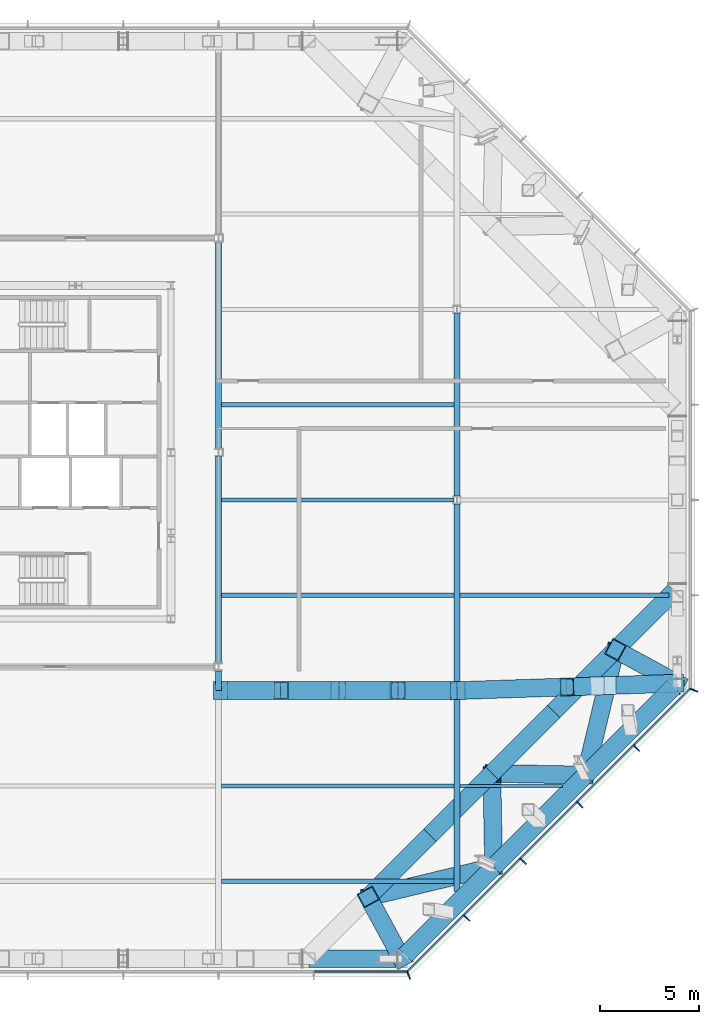
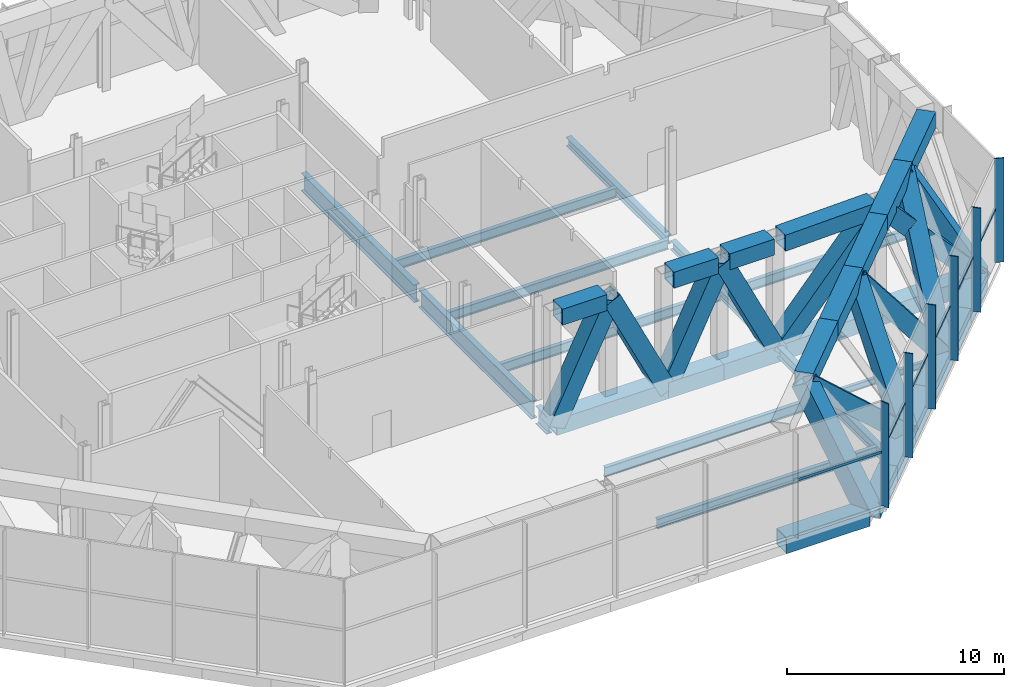
# One storey, part 5 of 18: 47 beams, 12 members, 3 elements without a shape of their own.
"""IFC4 building model written with IfcOpenShell, lengths in metres."""

from ifc_helpers import new_model, si_unit, direction, frame, origin, origin_2d, place, context, subcontext, project, spatial, rectangle, hollow_rectangle, i_section, extrude, material, material_profile, profile_set, type_object, element, aggregate, save


model = new_model("IFC4")

# Units and contexts
model_context = context("Model", 3, precision=1e-05, world=origin(), true_north=direction((0.0, 1.0)))
body_context = subcontext(model_context, "Body", "Model", "MODEL_VIEW")
ifc_project = project(units=[si_unit("LENGTHUNIT", "METRE"), si_unit("AREAUNIT", "SQUARE_METRE"), si_unit("VOLUMEUNIT", "CUBIC_METRE"), si_unit("PLANEANGLEUNIT", "RADIAN"), si_unit("MASSUNIT", "GRAM", prefix="KILO")], contexts=[model_context])

# Site, building, storey
site_placement = place(None, origin())
site = spatial("IfcSite", under=ifc_project, at=site_placement, CompositionType="ELEMENT")
building_placement = place(site_placement, origin())
building = spatial("IfcBuilding", under=site, at=building_placement, Name="Cairn Pilgrim Tower", CompositionType="ELEMENT")
storey_placement = place(building_placement, frame((0.0, 0.0, 204.60009765625)))
storey = spatial("IfcBuildingStorey", under=building, at=storey_placement, Name="L52", CompositionType="ELEMENT", Elevation=204.60009765625)

# Beams
ifc_material_1 = material(Name="Structural steel S460M", Category="steel")
ifc_material_profile_1 = material_profile(ifc_material_1, hollow_rectangle(XDim=0.89990234375, YDim=0.89990234375, WallThickness=0.050048828125, at=origin_2d()), Name="BOX 900x900x50")
ifc_profile_set_1 = profile_set([ifc_material_profile_1], Name="Structural steel S460M")
beam_type_1 = type_object("IfcBeamType", Name="BOX 900x900x50 CHORD", PredefinedType="USERDEFINED", material=ifc_profile_set_1)
beam_1_placement = place(storey_placement, frame((23.75146484375, -23.10009765625, -0.7001953125), z_axis=(1.0, 0.0, 0.0), x_axis=(0.0, 1.0, 0.0)))
element("IfcBeam", 1, at=beam_1_placement, inside=storey, type_object=beam_type_1, Name="BT52-S-BC6", ObjectType="CHORD", PredefinedType="USERDEFINED", context=body_context, shape_type="SweptSolid", body=[
    extrude(hollow_rectangle(XDim=0.89990234375, YDim=0.89990234375, WallThickness=0.050048828125, at=origin_2d()), origin(), (0.0, 0.0, 1.0), 4.439453125),
])
beam_2_placement = place(storey_placement, frame((28.594482421875, -22.932861328125, -0.7001953125), z_axis=(0.707066537211, 0.707147022872, 0.0), x_axis=(-0.707147022872, 0.707066537211, 0.0)))
element("IfcBeam", 2, at=beam_2_placement, inside=storey, type_object=beam_type_1, Name="BT52-SE-BC1", ObjectType="CHORD", PredefinedType="USERDEFINED", context=body_context, shape_type="SweptSolid", body=[
    extrude(hollow_rectangle(XDim=0.89990234375, YDim=0.89990234375, WallThickness=0.050048828125, at=origin_2d()), origin(), (0.0, 0.0, 1.0), 3.033447265625),
])
beam_3_placement = place(storey_placement, frame((30.7392578125, -20.787841796875, -0.7001953125), z_axis=(0.707106781187, 0.707106781187, 0.0), x_axis=(-0.707106781187, 0.707106781187, 0.0)))
element("IfcBeam", 3, at=beam_3_placement, inside=storey, type_object=beam_type_1, Name="BT52-SE-BC2", ObjectType="CHORD", PredefinedType="USERDEFINED", context=body_context, shape_type="SweptSolid", body=[
    extrude(hollow_rectangle(XDim=0.89990234375, YDim=0.89990234375, WallThickness=0.050048828125, at=origin_2d()), origin(), (0.0, 0.0, 1.0), 3.27001953125),
])
beam_4_placement = place(storey_placement, frame((26.7392578125, -19.98779296875, 5.39990234375), z_axis=(0.707134515759, 0.707079045527, 0.0), x_axis=(-0.707079045527, 0.707134515759, 0.0)))
element("IfcBeam", 4, at=beam_4_placement, inside=storey, type_object=beam_type_1, Name="BT52-SE-TC2", ObjectType="CHORD", PredefinedType="USERDEFINED", context=body_context, shape_type="SweptSolid", body=[
    extrude(hollow_rectangle(XDim=0.89990234375, YDim=0.89990234375, WallThickness=0.050048828125, at=origin_2d()), origin(), (0.0, 0.0, 1.0), 4.4013671875),
])
beam_5_placement = place(storey_placement, frame((33.051513671875, -18.4755859375, -0.7001953125), z_axis=(0.707106781187, 0.707106781187, 0.0), x_axis=(-0.707106781187, 0.707106781187, 0.0)))
element("IfcBeam", 5, at=beam_5_placement, inside=storey, type_object=beam_type_1, Name="BT52-SE-BC3", ObjectType="CHORD", PredefinedType="USERDEFINED", context=body_context, shape_type="SweptSolid", body=[
    extrude(hollow_rectangle(XDim=0.89990234375, YDim=0.89990234375, WallThickness=0.050048828125, at=origin_2d()), origin(), (0.0, 0.0, 1.0), 3.269775390625),
])
beam_6_placement = place(storey_placement, frame((29.8515625, -16.875732421875, 5.39990234375), z_axis=(0.707106781187, 0.707106781187, 0.0), x_axis=(-0.707106781187, 0.707106781187, 0.0)))
element("IfcBeam", 6, at=beam_6_placement, inside=storey, type_object=beam_type_1, Name="BT52-SE-TC3", ObjectType="CHORD", PredefinedType="USERDEFINED", context=body_context, shape_type="SweptSolid", body=[
    extrude(hollow_rectangle(XDim=0.89990234375, YDim=0.89990234375, WallThickness=0.050048828125, at=origin_2d()), origin(), (0.0, 0.0, 1.0), 4.401123046875),
])
beam_7_placement = place(storey_placement, frame((35.363525390625, -16.16357421875, -0.7001953125), z_axis=(0.707144112273, 0.707069448129, 0.0), x_axis=(-0.707069448129, 0.707144112273, 0.0)))
element("IfcBeam", 7, at=beam_7_placement, inside=storey, type_object=beam_type_1, Name="BT52-SE-BC4", ObjectType="CHORD", PredefinedType="USERDEFINED", context=body_context, shape_type="SweptSolid", body=[
    extrude(hollow_rectangle(XDim=0.89990234375, YDim=0.89990234375, WallThickness=0.050048828125, at=origin_2d()), origin(), (0.0, 0.0, 1.0), 3.269775390625),
])
beam_8_placement = place(storey_placement, frame((32.963623046875, -13.763671875, 5.39990234375), z_axis=(0.707106781187, 0.707106781187, 0.0), x_axis=(-0.707106781187, 0.707106781187, 0.0)))
element("IfcBeam", 8, at=beam_8_placement, inside=storey, type_object=beam_type_1, Name="BT52-SE-TC4", ObjectType="CHORD", PredefinedType="USERDEFINED", context=body_context, shape_type="SweptSolid", body=[
    extrude(hollow_rectangle(XDim=0.89990234375, YDim=0.89990234375, WallThickness=0.050048828125, at=origin_2d()), origin(), (0.0, 0.0, 1.0), 4.401123046875),
])
beam_9_placement = place(storey_placement, frame((37.67578125, -13.8515625, -0.7001953125), z_axis=(0.707069448129, 0.707144112273, 0.0), x_axis=(-0.707144112273, 0.707069448129, 0.0)))
element("IfcBeam", 9, at=beam_9_placement, inside=storey, type_object=beam_type_1, Name="BT52-SE-BC5", ObjectType="CHORD", PredefinedType="USERDEFINED", context=body_context, shape_type="SweptSolid", body=[
    extrude(hollow_rectangle(XDim=0.89990234375, YDim=0.89990234375, WallThickness=0.050048828125, at=origin_2d()), origin(), (0.0, 0.0, 1.0), 3.269775390625),
])
beam_10_placement = place(storey_placement, frame((36.07568359375, -10.651611328125, 5.39990234375), z_axis=(0.707106781187, 0.707106781187, 0.0), x_axis=(-0.707106781187, 0.707106781187, 0.0)))
element("IfcBeam", 10, at=beam_10_placement, inside=storey, type_object=beam_type_1, Name="BT52-SE-TC5", ObjectType="CHORD", PredefinedType="USERDEFINED", context=body_context, shape_type="SweptSolid", body=[
    extrude(hollow_rectangle(XDim=0.89990234375, YDim=0.89990234375, WallThickness=0.050048828125, at=origin_2d()), origin(), (0.0, 0.0, 1.0), 4.4013671875),
])
beam_11_placement = place(storey_placement, frame((39.98779296875, -11.539306640625, -0.7001953125), z_axis=(0.707106781187, 0.707106781187, 0.0), x_axis=(-0.707106781187, 0.707106781187, 0.0)))
element("IfcBeam", 11, at=beam_11_placement, inside=storey, type_object=beam_type_1, Name="BT52-SE-BC6", ObjectType="CHORD", PredefinedType="USERDEFINED", context=body_context, shape_type="SweptSolid", body=[
    extrude(hollow_rectangle(XDim=0.89990234375, YDim=0.89990234375, WallThickness=0.050048828125, at=origin_2d()), origin(), (0.0, 0.0, 1.0), 3.033447265625),
])
beam_12_placement = place(storey_placement, frame((39.18798828125, -7.539306640625, 5.39990234375), z_axis=(0.707106781187, 0.707106781187, 0.0), x_axis=(-0.707106781187, 0.707106781187, 0.0)))
element("IfcBeam", 12, at=beam_12_placement, inside=storey, type_object=beam_type_1, Name="BT52-SE-TC6", ObjectType="CHORD", PredefinedType="USERDEFINED", context=body_context, shape_type="SweptSolid", body=[
    extrude(hollow_rectangle(XDim=0.89990234375, YDim=0.89990234375, WallThickness=0.050048828125, at=origin_2d()), origin(), (0.0, 0.0, 1.0), 4.16455078125),
])
beam_13_placement = place(storey_placement, frame((19.35009765625, -9.60009765625, -0.7001953125), z_axis=(1.0, 0.0, 0.0), x_axis=(0.0, 1.0, 0.0)))
element("IfcBeam", 13, at=beam_13_placement, inside=storey, type_object=beam_type_1, Name="TT52S96-BC1", ObjectType="CHORD", PredefinedType="USERDEFINED", context=body_context, shape_type="SweptSolid", body=[
    extrude(hollow_rectangle(XDim=0.89990234375, YDim=0.89990234375, WallThickness=0.050048828125, at=origin_2d()), origin(), (0.0, 0.0, 1.0), 5.9248046875),
])
beam_14_placement = place(storey_placement, frame((19.64990234375, -9.60009765625, 5.39990234375), z_axis=(1.0, 0.0, 0.0), x_axis=(0.0, 1.0, 0.0)))
element("IfcBeam", 14, at=beam_14_placement, inside=storey, type_object=beam_type_1, Name="TT52S96-TC1", ObjectType="CHORD", PredefinedType="USERDEFINED", context=body_context, shape_type="SweptSolid", body=[
    extrude(hollow_rectangle(XDim=0.89990234375, YDim=0.89990234375, WallThickness=0.050048828125, at=origin_2d()), origin(), (0.0, 0.0, 1.0), 2.362548828125),
])
beam_15_placement = place(storey_placement, frame((25.27490234375, -9.60009765625, -0.7001953125), z_axis=(1.0, 0.0, 0.0), x_axis=(0.0, 1.0, 0.0)))
element("IfcBeam", 15, at=beam_15_placement, inside=storey, type_object=beam_type_1, Name="TT52S96-BC3", ObjectType="CHORD", PredefinedType="USERDEFINED", context=body_context, shape_type="SweptSolid", body=[
    extrude(hollow_rectangle(XDim=0.89990234375, YDim=0.89990234375, WallThickness=0.050048828125, at=origin_2d()), origin(), (0.0, 0.0, 1.0), 2.962646484375),
])
beam_16_placement = place(storey_placement, frame((25.574951171875, -9.60009765625, 5.39990234375), z_axis=(1.0, 0.0, 0.0), x_axis=(0.0, 1.0, 0.0)))
element("IfcBeam", 16, at=beam_16_placement, inside=storey, type_object=beam_type_1, Name="TT52S96-TC3", ObjectType="CHORD", PredefinedType="USERDEFINED", context=body_context, shape_type="SweptSolid", body=[
    extrude(hollow_rectangle(XDim=0.89990234375, YDim=0.89990234375, WallThickness=0.050048828125, at=origin_2d()), origin(), (0.0, 0.0, 1.0), 2.362548828125),
])
beam_17_placement = place(storey_placement, frame((28.237548828125, -9.60009765625, -0.7001953125), z_axis=(1.0, 0.0, 0.0), x_axis=(0.0, 1.0, 0.0)))
element("IfcBeam", 17, at=beam_17_placement, inside=storey, type_object=beam_type_1, Name="TT52S96-BC4", ObjectType="CHORD", PredefinedType="USERDEFINED", context=body_context, shape_type="SweptSolid", body=[
    extrude(hollow_rectangle(XDim=0.89990234375, YDim=0.89990234375, WallThickness=0.050048828125, at=origin_2d()), origin(), (0.0, 0.0, 1.0), 2.96240234375),
])
beam_18_placement = place(storey_placement, frame((28.53759765625, -9.60009765625, 5.39990234375), z_axis=(1.0, 0.0, 0.0), x_axis=(0.0, 1.0, 0.0)))
element("IfcBeam", 18, at=beam_18_placement, inside=storey, type_object=beam_type_1, Name="TT52S96-TC4", ObjectType="CHORD", PredefinedType="USERDEFINED", context=body_context, shape_type="SweptSolid", body=[
    extrude(hollow_rectangle(XDim=0.89990234375, YDim=0.89990234375, WallThickness=0.050048828125, at=origin_2d()), origin(), (0.0, 0.0, 1.0), 2.3623046875),
])
beam_19_placement = place(storey_placement, frame((31.199951171875, -9.60009765625, -0.7001953125), z_axis=(0.999438692734, 0.033500738304, 0.0), x_axis=(-0.033500738304, 0.999438692734, 0.0)))
element("IfcBeam", 19, at=beam_19_placement, inside=storey, type_object=beam_type_1, Name="TT52S96-BC5", ObjectType="CHORD", PredefinedType="USERDEFINED", context=body_context, shape_type="SweptSolid", body=[
    extrude(hollow_rectangle(XDim=0.89990234375, YDim=0.89990234375, WallThickness=0.050048828125, at=origin_2d()), origin(), (0.0, 0.0, 1.0), 5.55322265625),
])
beam_20_placement = place(storey_placement, frame((31.499755859375, -9.590087890625, 5.39990234375), z_axis=(0.999438157872, 0.033516691195, 0.0), x_axis=(-0.033516691195, 0.999438157872, 0.0)))
element("IfcBeam", 20, at=beam_20_placement, inside=storey, type_object=beam_type_1, Name="TT52S96-TC5", ObjectType="CHORD", PredefinedType="USERDEFINED", context=body_context, shape_type="SweptSolid", body=[
    extrude(hollow_rectangle(XDim=0.89990234375, YDim=0.89990234375, WallThickness=0.050048828125, at=origin_2d()), origin(), (0.0, 0.0, 1.0), 4.953125),
])
beam_21_placement = place(storey_placement, frame((36.75, -9.4140625, -0.7001953125), z_axis=(0.999434268048, 0.033632482077, 0.0), x_axis=(-0.033632482077, 0.999434268048, 0.0)))
element("IfcBeam", 21, at=beam_21_placement, inside=storey, type_object=beam_type_1, Name="TT52S96-BC6", ObjectType="CHORD", PredefinedType="USERDEFINED", context=body_context, shape_type="SweptSolid", body=[
    extrude(hollow_rectangle(XDim=0.89990234375, YDim=0.89990234375, WallThickness=0.050048828125, at=origin_2d()), origin(), (0.0, 0.0, 1.0), 5.55322265625),
])
ifc_material_profile_2 = material_profile(ifc_material_1, hollow_rectangle(XDim=0.89990234375, YDim=0.89990234375, WallThickness=0.050048828125, at=origin_2d()), Name="BOX 900x900x50")
ifc_profile_set_2 = profile_set([ifc_material_profile_2], Name="Structural steel S460M")
beam_type_2 = type_object("IfcBeamType", Name="BOX 900x900x50 DIAGONAL", PredefinedType="USERDEFINED", material=ifc_profile_set_2)
beam_22_placement = place(storey_placement, frame((28.42724609375, -23.10009765625, -0.7001953125), z_axis=(-0.239324002447, 0.441264446514, 0.864875546015), x_axis=(-0.879036753666, -0.476754009637, 0.0)))
element("IfcBeam", 22, at=beam_22_placement, inside=storey, type_object=beam_type_2, Name="BT52-SE-D1", ObjectType="DIAGONAL", PredefinedType="USERDEFINED", context=body_context, shape_type="SweptSolid", body=[
    extrude(hollow_rectangle(XDim=0.89990234375, YDim=0.89990234375, WallThickness=0.050048828125, at=origin_2d()), origin(), (0.0, 0.0, 1.0), 7.05322265625),
])
beam_23_placement = place(storey_placement, frame((26.7392578125, -19.98779296875, 5.39990234375), z_axis=(0.708649616723, 0.169768931579, -0.684831534459), x_axis=(-0.232974611188, 0.972482817608, 0.0)))
element("IfcBeam", 23, at=beam_23_placement, inside=storey, type_object=beam_type_2, Name="BT52-SE-D2", ObjectType="DIAGONAL", PredefinedType="USERDEFINED", context=body_context, shape_type="SweptSolid", body=[
    extrude(hollow_rectangle(XDim=0.89990234375, YDim=0.89990234375, WallThickness=0.050048828125, at=origin_2d()), origin(), (0.0, 0.0, 1.0), 8.907470703125),
])
beam_24_placement = place(storey_placement, frame((33.051513671875, -18.4755859375, -0.7001953125), z_axis=(-0.011401773013, 0.611261719859, 0.791346390279), x_axis=(-0.999826080981, -0.018649605656, 0.0)))
element("IfcBeam", 24, at=beam_24_placement, inside=storey, type_object=beam_type_2, Name="BT52-SE-D3", ObjectType="DIAGONAL", PredefinedType="USERDEFINED", context=body_context, shape_type="SweptSolid", body=[
    extrude(hollow_rectangle(XDim=0.89990234375, YDim=0.89990234375, WallThickness=0.050048828125, at=origin_2d()), origin(), (0.0, 0.0, 1.0), 7.70849609375),
])
beam_25_placement = place(storey_placement, frame((32.963623046875, -13.763671875, 5.39990234375), z_axis=(0.611281557072, -0.011401552279, -0.791331070152), x_axis=(0.018648639741, 0.999826098997, 0.0)))
element("IfcBeam", 25, at=beam_25_placement, inside=storey, type_object=beam_type_2, Name="BT52-SE-D4", ObjectType="DIAGONAL", PredefinedType="USERDEFINED", context=body_context, shape_type="SweptSolid", body=[
    extrude(hollow_rectangle(XDim=0.89990234375, YDim=0.89990234375, WallThickness=0.050048828125, at=origin_2d()), origin(), (0.0, 0.0, 1.0), 7.708740234375),
])
beam_26_placement = place(storey_placement, frame((37.67578125, -13.8515625, -0.7001953125), z_axis=(0.169768931579, 0.708649616723, 0.684831534459), x_axis=(-0.972482817608, 0.232974611188, 0.0)))
element("IfcBeam", 26, at=beam_26_placement, inside=storey, type_object=beam_type_2, Name="BT52-SE-D5", ObjectType="DIAGONAL", PredefinedType="USERDEFINED", context=body_context, shape_type="SweptSolid", body=[
    extrude(hollow_rectangle(XDim=0.89990234375, YDim=0.89990234375, WallThickness=0.050048828125, at=origin_2d()), origin(), (0.0, 0.0, 1.0), 8.907470703125),
])
beam_27_placement = place(storey_placement, frame((39.18798828125, -7.539306640625, 5.39990234375), z_axis=(0.44123657139, -0.239327657848, -0.864888756001), x_axis=(0.476782909036, 0.879021079185, 0.0)))
element("IfcBeam", 27, at=beam_27_placement, inside=storey, type_object=beam_type_2, Name="BT52-SE-D6", ObjectType="DIAGONAL", PredefinedType="USERDEFINED", context=body_context, shape_type="SweptSolid", body=[
    extrude(hollow_rectangle(XDim=0.89990234375, YDim=0.89990234375, WallThickness=0.050048828125, at=origin_2d()), origin(), (0.0, 0.0, 1.0), 7.052978515625),
])
for number, where, z_axis, x_axis, name in (
    (28, (19.35009765625, -9.60009765625, -0.7001953125), (0.436844038279, 0.0, 0.899537262274), (0.0, 1.0, 0.0), "TT52S96-D1"),
    (29, (22.3125, -9.60009765625, 5.39990234375), (0.436844038279, 0.0, -0.899537262274), (0.0, 1.0, 0.0), "TT52S96-D2"),
    (30, (25.27490234375, -9.60009765625, -0.7001953125), (0.43687316895, 0.0, 0.899523114907), (0.0, 1.0, 0.0), "TT52S96-D3"),
    (31, (28.237548828125, -9.60009765625, 5.39990234375), (0.436844038279, 0.0, -0.899537262274), (0.0, 1.0, 0.0), "TT52S96-D4"),
):
    element("IfcBeam", number, at=place(storey_placement, frame(where, z_axis=z_axis, x_axis=x_axis)), inside=storey, type_object=beam_type_2, Name=name, ObjectType="DIAGONAL", PredefinedType="USERDEFINED", context=body_context, shape_type="SweptSolid", body=[
        extrude(hollow_rectangle(XDim=0.89990234375, YDim=0.89990234375, WallThickness=0.050048828125, at=origin_2d()), origin(), (0.0, 0.0, 1.0), 6.781494140625),
    ])
beam_28_placement = place(storey_placement, frame((31.199951171875, -9.60009765625, -0.7001953125), z_axis=(0.672800697208, 0.022551978677, 0.739479972747), x_axis=(-0.033500738304, 0.999438692734, 0.0)))
element("IfcBeam", 32, at=beam_28_placement, inside=storey, type_object=beam_type_2, Name="TT52S96-D5", ObjectType="DIAGONAL", PredefinedType="USERDEFINED", context=body_context, shape_type="SweptSolid", body=[
    extrude(hollow_rectangle(XDim=0.89990234375, YDim=0.89990234375, WallThickness=0.050048828125, at=origin_2d()), origin(), (0.0, 0.0, 1.0), 8.249267578125),
])
beam_29_placement = place(storey_placement, frame((36.75, -9.4140625, 5.39990234375), z_axis=(0.672751153679, 0.022686669878, -0.739520926163), x_axis=(-0.033703073166, 0.999431890055, 0.0)))
element("IfcBeam", 33, at=beam_29_placement, inside=storey, type_object=beam_type_2, Name="TT52S96-D6A", ObjectType="DIAGONAL", PredefinedType="USERDEFINED", context=body_context, shape_type="SweptSolid", body=[
    extrude(hollow_rectangle(XDim=0.89990234375, YDim=0.89990234375, WallThickness=0.050048828125, at=origin_2d()), origin(), (0.0, 0.0, 1.0), 2.270751953125),
])
beam_30_placement = place(storey_placement, frame((38.886962890625, -9.342041015625, 3.05126953125), z_axis=(0.672788092261, 0.022618769911, -0.739489400979), x_axis=(-0.033600472962, 0.999435344691, 0.0)))
element("IfcBeam", 34, at=beam_30_placement, inside=storey, type_object=beam_type_2, Name="TT52S96-D6B", ObjectType="DIAGONAL", PredefinedType="USERDEFINED", context=body_context, shape_type="SweptSolid", body=[
    extrude(hollow_rectangle(XDim=0.89990234375, YDim=0.89990234375, WallThickness=0.050048828125, at=origin_2d()), origin(), (0.0, 0.0, 1.0), 5.072998046875),
])

# Curtain wall, members
ifc_material_2 = material(Name="Aluminium alloy 6063-T6 bronze anodised with Bronze tinted laminated low-E glass 8+16+8.8", Category="aluminium")
curtain_wall_type = type_object("IfcCurtainWallType", Name="PLANT LOUVRE CURTAIN WALL", PredefinedType="NOTDEFINED", material=ifc_material_2)
curtain_wall_1_placement = place(storey_placement, origin())
curtain_wall_1 = element("IfcCurtainWall", 35, at=curtain_wall_1_placement, inside=storey, type_object=curtain_wall_type, Name="Plant Louvre Curtain Wall SE", PredefinedType="NOTDEFINED")
ifc_material_3 = material(Name="Aluminium alloy 6063-T6 bronze anodised", Category="aluminium")
ifc_material_profile_3 = material_profile(ifc_material_3, rectangle(XDim=0.449951171875, YDim=0.06005859375, at=origin_2d()), Name="FIN MULLION 60x450 BRONZE")
ifc_profile_set_3 = profile_set([ifc_material_profile_3], Name="Aluminium alloy 6063-T6 bronze anodised")
member_type_1 = type_object("IfcMemberType", Name="FIN MULLION 60x450 BRONZE", PredefinedType="MULLION", material=ifc_profile_set_3)
member_1_placement = place(storey_placement, frame((28.77099609375, -23.93017578125, 0.0), z_axis=(0.0, 0.0, 1.0), x_axis=(0.382683432365, -0.923879532511, 0.0)))
member_1 = element("IfcMember", 36, at=member_1_placement, type_object=member_type_1, Name="Fin mullion SE1", PredefinedType="MULLION", context=body_context, shape_type="SweptSolid", body=[
    extrude(rectangle(XDim=0.449951171875, YDim=0.06005859375, at=origin_2d()), origin(), (0.0, 0.0, 1.0), 5.849853515625),
])
member_2_placement = place(storey_placement, frame((31.68505859375, -21.037109375, 0.0), z_axis=(0.0, 0.0, 1.0), x_axis=(0.707106781187, -0.707106781187, 0.0)))
member_2 = element("IfcMember", 37, at=member_2_placement, type_object=member_type_1, Name="Fin mullion SE2", PredefinedType="MULLION", context=body_context, shape_type="SweptSolid", body=[
    extrude(rectangle(XDim=0.449951171875, YDim=0.06005859375, at=origin_2d()), origin(), (0.0, 0.0, 1.0), 5.849853515625),
])
member_3_placement = place(storey_placement, frame((34.53564453125, -18.1865234375, 0.0), z_axis=(0.0, 0.0, 1.0), x_axis=(0.707106781187, -0.707106781187, 0.0)))
member_3 = element("IfcMember", 38, at=member_3_placement, type_object=member_type_1, Name="Fin mullion SE3", PredefinedType="MULLION", context=body_context, shape_type="SweptSolid", body=[
    extrude(rectangle(XDim=0.449951171875, YDim=0.06005859375, at=origin_2d()), origin(), (0.0, 0.0, 1.0), 5.849853515625),
])
member_4_placement = place(storey_placement, frame((37.386474609375, -15.335693359375, 0.0), z_axis=(0.0, 0.0, 1.0), x_axis=(0.707106781187, -0.707106781187, 0.0)))
member_4 = element("IfcMember", 39, at=member_4_placement, type_object=member_type_1, Name="Fin mullion SE4", PredefinedType="MULLION", context=body_context, shape_type="SweptSolid", body=[
    extrude(rectangle(XDim=0.449951171875, YDim=0.06005859375, at=origin_2d()), origin(), (0.0, 0.0, 1.0), 5.849853515625),
])
member_5_placement = place(storey_placement, frame((40.237060546875, -12.485107421875, 0.0), z_axis=(0.0, 0.0, 1.0), x_axis=(0.707106781187, -0.707106781187, 0.0)))
member_5 = element("IfcMember", 40, at=member_5_placement, type_object=member_type_1, Name="Fin mullion SE5", PredefinedType="MULLION", context=body_context, shape_type="SweptSolid", body=[
    extrude(rectangle(XDim=0.449951171875, YDim=0.06005859375, at=origin_2d()), origin(), (0.0, 0.0, 1.0), 5.849853515625),
])

# Curtain wall, member
curtain_wall_2_placement = place(storey_placement, origin())
curtain_wall_2 = element("IfcCurtainWall", 41, at=curtain_wall_2_placement, inside=storey, type_object=curtain_wall_type, Name="Plant Louvre Curtain Wall E", PredefinedType="NOTDEFINED")
member_6_placement = place(storey_placement, frame((43.130126953125, -9.571044921875, 0.0), z_axis=(0.0, 0.0, 1.0), x_axis=(0.923879532511, -0.382683432365, 0.0)))
member_6 = element("IfcMember", 42, at=member_6_placement, type_object=member_type_1, Name="Fin mullion E1", PredefinedType="MULLION", context=body_context, shape_type="SweptSolid", body=[
    extrude(rectangle(XDim=0.449951171875, YDim=0.06005859375, at=origin_2d()), origin(), (0.0, 0.0, 1.0), 5.849853515625),
])
aggregate(curtain_wall_2, [member_6])

# Beams
ifc_material_4 = material(Name="Structural steel S355J2", Category="steel")
ifc_material_profile_4 = material_profile(ifc_material_4, i_section(OverallWidth=0.300048828125, OverallDepth=0.5, WebThickness=0.014404296875, FlangeThickness=0.028076171875, FilletRadius=0.027099609375, at=origin_2d()), Name="HEB 500")
ifc_profile_set_4 = profile_set([ifc_material_profile_4], Name="Structural steel S355J2")
beam_type_3 = type_object("IfcBeamType", Name="HEB 500 GIRDER", PredefinedType="BEAM", material=ifc_profile_set_4)
beam_31_placement = place(storey_placement, frame((31.199951171875, -9.14501953125, -0.5), z_axis=(0.0, 1.0, 0.0), x_axis=(-1.0, 0.0, 0.0)))
element("IfcBeam", 43, at=beam_31_placement, inside=storey, type_object=beam_type_3, Name="PG5-2", PredefinedType="BEAM", context=body_context, shape_type="SweptSolid", body=[
    extrude(i_section(OverallWidth=0.300048828125, OverallDepth=0.5, WebThickness=0.014404296875, FlangeThickness=0.028076171875, FilletRadius=0.027099609375, at=origin_2d()), origin(), (0.0, 0.0, 1.0), 8.945556640625),
])
beam_32_placement = place(storey_placement, frame((31.199951171875, 0.199462890625, -0.5), z_axis=(0.0, 1.0, 0.0), x_axis=(-1.0, 0.0, 0.0)))
element("IfcBeam", 44, at=beam_32_placement, inside=storey, type_object=beam_type_3, Name="PG5-3", PredefinedType="BEAM", context=body_context, shape_type="SweptSolid", body=[
    extrude(i_section(OverallWidth=0.300048828125, OverallDepth=0.5, WebThickness=0.014404296875, FlangeThickness=0.028076171875, FilletRadius=0.027099609375, at=origin_2d()), origin(), (0.0, 0.0, 1.0), 9.200927734375),
])
ifc_material_profile_5 = material_profile(ifc_material_4, i_section(OverallWidth=0.300048828125, OverallDepth=0.60009765625, WebThickness=0.015380859375, FlangeThickness=0.030029296875, FilletRadius=0.027099609375, at=origin_2d()), Name="HEB 600")
ifc_profile_set_5 = profile_set([ifc_material_profile_5], Name="Structural steel S355J2")
beam_type_4 = type_object("IfcBeamType", Name="HEB 600 GIRDER", PredefinedType="BEAM", material=ifc_profile_set_5)
beam_33_placement = place(storey_placement, frame((31.199951171875, -19.720703125, -0.550048828125), z_axis=(0.0, 1.0, 0.0), x_axis=(-1.0, 0.0, 0.0)))
element("IfcBeam", 45, at=beam_33_placement, inside=storey, type_object=beam_type_4, Name="PG5-1", PredefinedType="BEAM", context=body_context, shape_type="SweptSolid", body=[
    extrude(i_section(OverallWidth=0.300048828125, OverallDepth=0.60009765625, WebThickness=0.015380859375, FlangeThickness=0.030029296875, FilletRadius=0.027099609375, at=origin_2d()), origin(), (0.0, 0.0, 1.0), 9.665771484375),
])
ifc_material_profile_6 = material_profile(ifc_material_4, i_section(OverallWidth=0.302001953125, OverallDepth=1.008056640625, WebThickness=0.02099609375, FlangeThickness=0.0400390625, FilletRadius=0.030029296875, at=origin_2d()), Name="HEM 1000")
ifc_profile_set_6 = profile_set([ifc_material_profile_6], Name="Structural steel S355J2")
beam_type_5 = type_object("IfcBeamType", Name="HEM 1000 GIRDER", PredefinedType="BEAM", material=ifc_profile_set_6)
beam_34_placement = place(storey_placement, frame((19.199951171875, -9.60009765625, -0.754150390625), z_axis=(0.0, 1.0, 0.0), x_axis=(-1.0, 0.0, 0.0)))
element("IfcBeam", 46, at=beam_34_placement, inside=storey, type_object=beam_type_5, Name="PG4-E1", PredefinedType="BEAM", context=body_context, shape_type="SweptSolid", body=[
    extrude(i_section(OverallWidth=0.302001953125, OverallDepth=1.008056640625, WebThickness=0.02099609375, FlangeThickness=0.0400390625, FilletRadius=0.030029296875, at=origin_2d()), origin(), (0.0, 0.0, 1.0), 1.00048828125),
])
for number, where, z_axis, x_axis, name in (
    (47, (19.199951171875, -8.200439453125, -0.754150390625), (0.0, 1.0, 0.0), (-1.0, 0.0, 0.0), "PG4-2"),
    (48, (19.199951171875, 2.599609375, -0.754150390625), (0.0, 1.0, 0.0), (-1.0, 0.0, 0.0), "PG4-3"),
):
    element("IfcBeam", number, at=place(storey_placement, frame(where, z_axis=z_axis, x_axis=x_axis)), inside=storey, type_object=beam_type_5, Name=name, PredefinedType="BEAM", context=body_context, shape_type="SweptSolid", body=[
        extrude(i_section(OverallWidth=0.302001953125, OverallDepth=1.008056640625, WebThickness=0.02099609375, FlangeThickness=0.0400390625, FilletRadius=0.030029296875, at=origin_2d()), origin(), (0.0, 0.0, 1.0), 10.40087890625),
    ])
ifc_material_profile_7 = material_profile(ifc_material_4, i_section(OverallWidth=0.169921875, OverallDepth=0.360107421875, WebThickness=0.008056640625, FlangeThickness=0.0126953125, FilletRadius=0.01806640625, at=origin_2d()), Name="IPE 360")
ifc_profile_set_7 = profile_set([ifc_material_profile_7], Name="Structural steel S355J2")
beam_type_6 = type_object("IfcBeamType", Name="IPE 360 SECONDARY BEAM", PredefinedType="JOIST", material=ifc_profile_set_7)
beam_35_placement = place(storey_placement, frame((31.35009765625, -14.39990234375, -0.43017578125), z_axis=(1.0, 0.0, 0.0), x_axis=(0.0, 1.0, 0.0)))
element("IfcBeam", 49, at=beam_35_placement, inside=storey, type_object=beam_type_6, Name="SB2-5", PredefinedType="JOIST", context=body_context, shape_type="SweptSolid", body=[
    extrude(i_section(OverallWidth=0.169921875, OverallDepth=0.360107421875, WebThickness=0.008056640625, FlangeThickness=0.0126953125, FilletRadius=0.01806640625, at=origin_2d()), origin(), (0.0, 0.0, 1.0), 5.170654296875),
])
ifc_material_profile_8 = material_profile(ifc_material_4, i_section(OverallWidth=0.2099609375, OverallDepth=0.550048828125, WebThickness=0.010986328125, FlangeThickness=0.01708984375, FilletRadius=0.02392578125, at=origin_2d()), Name="IPE 550")
ifc_profile_set_8 = profile_set([ifc_material_profile_8], Name="Structural steel S355J2")
beam_type_7 = type_object("IfcBeamType", Name="IPE 550 SECONDARY BEAM", PredefinedType="JOIST", material=ifc_profile_set_8)
for number, where, z_axis, x_axis, name in (
    (50, (19.35009765625, -19.199951171875, -0.525146484375), (1.0, 0.0, 0.0), (0.0, 1.0, 0.0), "SB1-3"),
    (51, (19.35009765625, -14.39990234375, -0.525146484375), (1.0, 0.0, 0.0), (0.0, 1.0, 0.0), "SB2-4"),
    (52, (19.35009765625, -4.800048828125, -0.525146484375), (1.0, 0.0, 0.0), (0.0, 1.0, 0.0), "SB4-2"),
):
    element("IfcBeam", number, at=place(storey_placement, frame(where, z_axis=z_axis, x_axis=x_axis)), inside=storey, type_object=beam_type_7, Name=name, PredefinedType="JOIST", context=body_context, shape_type="SweptSolid", body=[
        extrude(i_section(OverallWidth=0.2099609375, OverallDepth=0.550048828125, WebThickness=0.010986328125, FlangeThickness=0.01708984375, FilletRadius=0.02392578125, at=origin_2d()), origin(), (0.0, 0.0, 1.0), 11.699951171875),
    ])
beam_36_placement = place(storey_placement, frame((31.35009765625, -4.800048828125, -0.525146484375), z_axis=(1.0, 0.0, 0.0), x_axis=(0.0, 1.0, 0.0)))
element("IfcBeam", 53, at=beam_36_placement, inside=storey, type_object=beam_type_7, Name="SB4-3", PredefinedType="JOIST", context=body_context, shape_type="SweptSolid", body=[
    extrude(i_section(OverallWidth=0.2099609375, OverallDepth=0.550048828125, WebThickness=0.010986328125, FlangeThickness=0.01708984375, FilletRadius=0.02392578125, at=origin_2d()), origin(), (0.0, 0.0, 1.0), 10.52978515625),
])
for number, where, z_axis, x_axis, name in (
    (54, (19.35009765625, 0.0, -0.525146484375), (1.0, 0.0, 0.0), (0.0, 1.0, 0.0), "SB5-2"),
    (55, (19.35009765625, 4.800048828125, -0.525146484375), (1.0, 0.0, 0.0), (0.0, 1.0, 0.0), "SB6-2"),
):
    element("IfcBeam", number, at=place(storey_placement, frame(where, z_axis=z_axis, x_axis=x_axis)), inside=storey, type_object=beam_type_7, Name=name, PredefinedType="JOIST", context=body_context, shape_type="SweptSolid", body=[
        extrude(i_section(OverallWidth=0.2099609375, OverallDepth=0.550048828125, WebThickness=0.010986328125, FlangeThickness=0.01708984375, FilletRadius=0.02392578125, at=origin_2d()), origin(), (0.0, 0.0, 1.0), 11.699951171875),
    ])

# Curtain wall, member
curtain_wall_3_placement = place(storey_placement, origin())
curtain_wall_3 = element("IfcCurtainWall", 56, at=curtain_wall_3_placement, inside=storey, type_object=curtain_wall_type, Name="Plant Louvre Curtain Wall S", PredefinedType="NOTDEFINED")
ifc_material_profile_9 = material_profile(ifc_material_3, rectangle(XDim=0.080078125, YDim=0.14990234375, at=origin_2d()), Name="TRANSOM 80x150 BRONZE")
ifc_profile_set_9 = profile_set([ifc_material_profile_9], Name="Aluminium alloy 6063-T6 bronze anodised")
member_type_2 = type_object("IfcMemberType", Name="TRANSOM 80x150 BRONZE", PredefinedType="USERDEFINED", material=ifc_profile_set_9)
member_7_placement = place(storey_placement, frame((24.030029296875, -23.75, 3.0), z_axis=(1.0, 0.0, 0.0), x_axis=(0.0, 1.0, 0.0)))
member_7 = element("IfcMember", 57, at=member_7_placement, type_object=member_type_2, Name="Transom S6", ObjectType="TRANSOM", PredefinedType="USERDEFINED", context=body_context, shape_type="SweptSolid", body=[
    extrude(rectangle(XDim=0.080078125, YDim=0.14990234375, at=origin_2d()), origin(), (0.0, 0.0, 1.0), 4.62646484375),
])
aggregate(curtain_wall_3, [member_7])

# Member
member_8_placement = place(storey_placement, frame((28.724609375, -23.7216796875, 3.0), z_axis=(0.707106781187, 0.707106781187, 0.0), x_axis=(-0.707106781187, 0.707106781187, 0.0)))
member_8 = element("IfcMember", 58, at=member_8_placement, type_object=member_type_2, Name="Transom SE1", ObjectType="TRANSOM", PredefinedType="USERDEFINED", context=body_context, shape_type="SweptSolid", body=[
    extrude(rectangle(XDim=0.080078125, YDim=0.14990234375, at=origin_2d()), origin(), (0.0, 0.0, 1.0), 3.961669921875),
])

member_9_placement = place(storey_placement, frame((31.568359375, -20.878173828125, 3.0), z_axis=(0.707106781187, 0.707106781187, 0.0), x_axis=(-0.707106781187, 0.707106781187, 0.0)))
member_9 = element("IfcMember", 59, at=member_9_placement, type_object=member_type_2, Name="Transom SE2", ObjectType="TRANSOM", PredefinedType="USERDEFINED", context=body_context, shape_type="SweptSolid", body=[
    extrude(rectangle(XDim=0.080078125, YDim=0.14990234375, at=origin_2d()), origin(), (0.0, 0.0, 1.0), 3.9716796875),
])

member_10_placement = place(storey_placement, frame((34.419189453125, -18.02734375, 3.0), z_axis=(0.707076043427, 0.70713751761, 0.0), x_axis=(-0.70713751761, 0.707076043427, 0.0)))
member_10 = element("IfcMember", 60, at=member_10_placement, type_object=member_type_2, Name="Transom SE3", ObjectType="TRANSOM", PredefinedType="USERDEFINED", context=body_context, shape_type="SweptSolid", body=[
    extrude(rectangle(XDim=0.080078125, YDim=0.14990234375, at=origin_2d()), origin(), (0.0, 0.0, 1.0), 3.971435546875),
])

member_11_placement = place(storey_placement, frame((37.269775390625, -15.1767578125, 3.0), z_axis=(0.707106781187, 0.707106781187, 0.0), x_axis=(-0.707106781187, 0.707106781187, 0.0)))
member_11 = element("IfcMember", 61, at=member_11_placement, type_object=member_type_2, Name="Transom SE4", ObjectType="TRANSOM", PredefinedType="USERDEFINED", context=body_context, shape_type="SweptSolid", body=[
    extrude(rectangle(XDim=0.080078125, YDim=0.14990234375, at=origin_2d()), origin(), (0.0, 0.0, 1.0), 3.9716796875),
])

member_12_placement = place(storey_placement, frame((40.12060546875, -12.325927734375, 3.0), z_axis=(0.707075965734, 0.707137595296, 0.0), x_axis=(-0.707137595296, 0.707075965734, 0.0)))
member_12 = element("IfcMember", 62, at=member_12_placement, type_object=member_type_2, Name="Transom SE5", ObjectType="TRANSOM", PredefinedType="USERDEFINED", context=body_context, shape_type="SweptSolid", body=[
    extrude(rectangle(XDim=0.080078125, YDim=0.14990234375, at=origin_2d()), origin(), (0.0, 0.0, 1.0), 3.96142578125),
])

aggregate(curtain_wall_1, [member_1, member_2, member_3, member_4, member_5, member_8, member_9, member_10, member_11, member_12])

save(model, "model.ifc")
